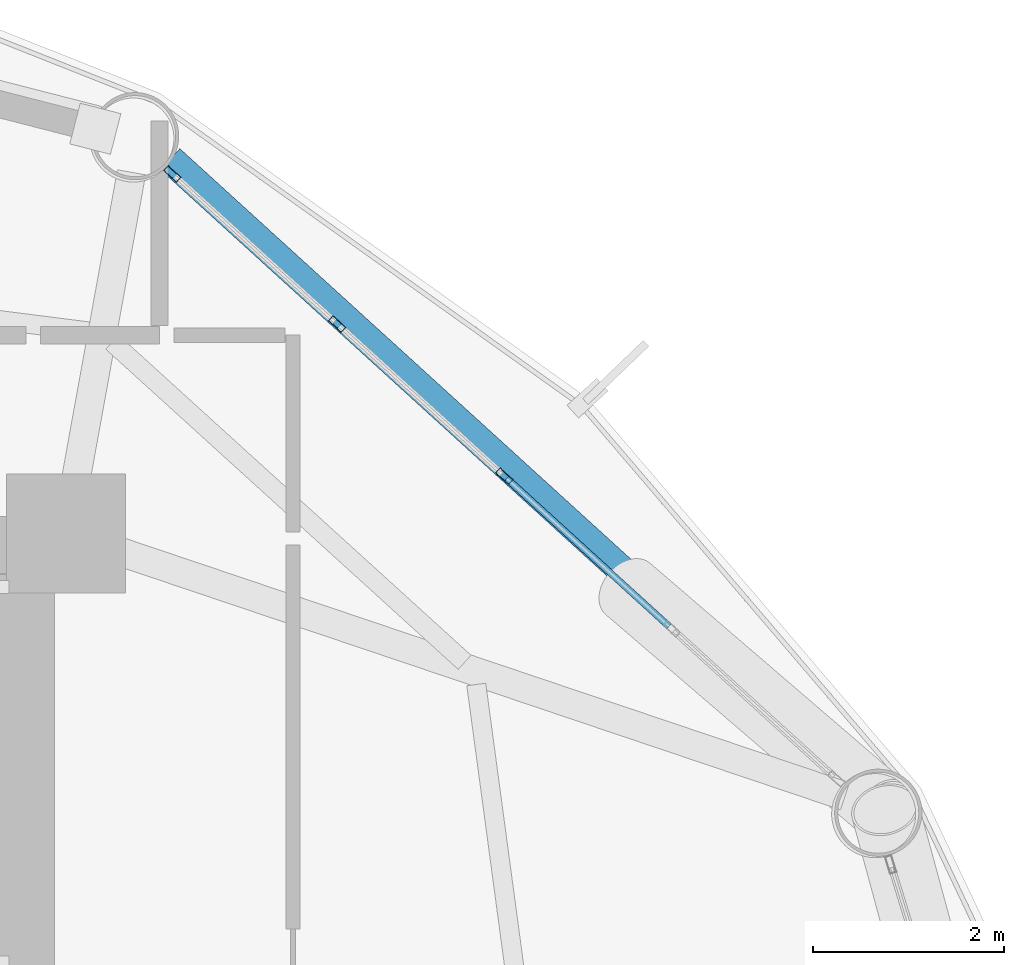
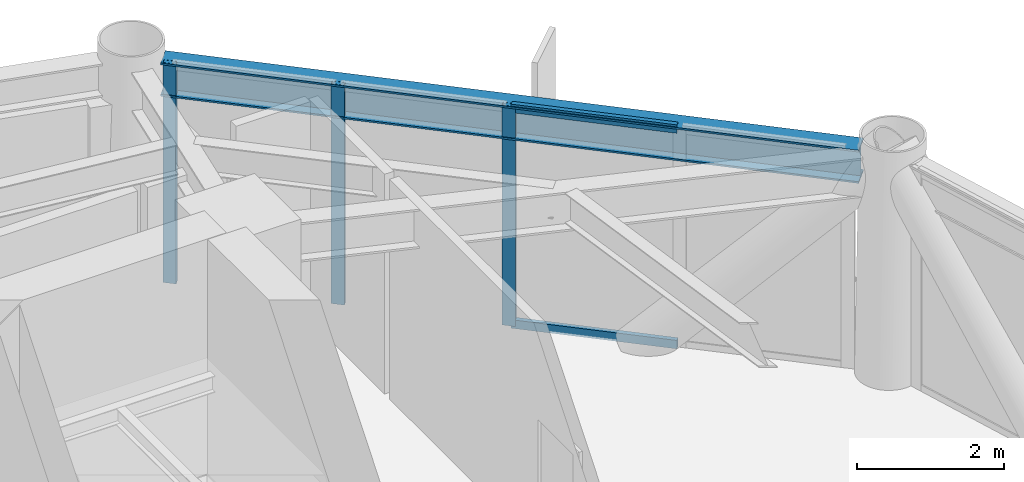
# One storey, part 18 of 25: 5 members, 1 beam, 1 element without a shape of its own.
"""IFC4 building model written with IfcOpenShell, lengths in metres."""

from ifc_helpers import new_model, si_unit, direction, frame, origin, origin_2d, place, context, subcontext, project, spatial, hollow_rectangle, i_section, extrude, material, layer, layer_set, material_profile, profile_set, type_object, element, aggregate, save


model = new_model("IFC4")

# Units and contexts
model_context = context("Model", 3, precision=1e-05, world=origin(), true_north=direction((0.0, 1.0)))
body_context = subcontext(model_context, "Body", "Model", "MODEL_VIEW")
ifc_project = project(units=[si_unit("LENGTHUNIT", "METRE"), si_unit("AREAUNIT", "SQUARE_METRE"), si_unit("VOLUMEUNIT", "CUBIC_METRE"), si_unit("PLANEANGLEUNIT", "RADIAN"), si_unit("MASSUNIT", "GRAM", prefix="KILO")], contexts=[model_context])

# Site, building, storey
site_placement = place(None, origin())
site = spatial("IfcSite", under=ifc_project, at=site_placement, CompositionType="ELEMENT")
building_placement = place(site_placement, origin())
building = spatial("IfcBuilding", under=site, at=building_placement, Name="Varnakorn Sky Granary", CompositionType="ELEMENT")
storey_placement = place(building_placement, frame((0.0, 0.0, 58.800048828125)))
storey = spatial("IfcBuildingStorey", under=building, at=storey_placement, Name="L14", CompositionType="ELEMENT", Elevation=58.800048828125)

# Beam
ifc_material_1 = material(Name="Steel S355JR", Category="steel")
ifc_material_profile_1 = material_profile(ifc_material_1, i_section(OverallWidth=0.300048828125, OverallDepth=0.550048828125, WebThickness=0.014892578125, FlangeThickness=0.029052734375, at=origin_2d()), Name="HE 550 B")
ifc_profile_set_1 = profile_set([ifc_material_profile_1], Name="Steel S355JR")
beam_type = type_object("IfcBeamType", Name="BM-SPD-Z1", PredefinedType="SPANDREL", material=ifc_profile_set_1)
beam_placement = place(storey_placement, frame((16.680908203125, 10.021484375, 3.364990234375), z_axis=(-0.739598046308, 0.673048831733, 0.0), x_axis=(-0.673048831733, -0.739598046308, 0.0)))
element("IfcBeam", 1, at=beam_placement, inside=storey, type_object=beam_type, Name="Perimeter Spandrel Ring Beam RB02 L14", PredefinedType="SPANDREL", context=body_context, shape_type="SweptSolid", body=[
    extrude(i_section(OverallWidth=0.300048828125, OverallDepth=0.550048828125, WebThickness=0.014892578125, FlangeThickness=0.029052734375, at=origin_2d()), origin(), (0.0, 0.0, 1.0), 9.6923828125),
])

# Curtain wall, members
ifc_material_2 = material(Name="Anodised Bronze Aluminium Alloy 6063-T6", Category="aluminium")
ifc_layer = layer(ifc_material_2, 0.18994140625, Name="Anodised Bronze Aluminium Alloy 6063-T6")
ifc_layer_set = layer_set([ifc_layer], Name="Anodised Bronze Aluminium Alloy 6063-T6")
curtain_wall_type = type_object("IfcCurtainWallType", Name="CW-FRM-1", PredefinedType="USERDEFINED", material=ifc_layer_set)
curtain_wall_placement = place(storey_placement, origin())
curtain_wall = element("IfcCurtainWall", 2, at=curtain_wall_placement, inside=storey, type_object=curtain_wall_type, Name="Unitised Curtain Wall CW3 CW-L14-B02", ObjectType="CURTAIN WALL", PredefinedType="USERDEFINED")
ifc_material_profile_2 = material_profile(ifc_material_2, hollow_rectangle(XDim=0.070068359375, YDim=0.18505859375, WallThickness=0.00390625, at=origin_2d()), Name="ALU MULL 70x185")
ifc_profile_set_2 = profile_set([ifc_material_profile_2], Name="Anodised Bronze Aluminium Alloy 6063-T6")
member_type_1 = type_object("IfcMemberType", Name="CW-FRM-1-MULL", PredefinedType="MULLION", material=ifc_profile_set_2)
member_1_placement = place(storey_placement, frame((9.53466796875, 16.39013671875, 0.0), z_axis=(0.0, 0.0, 1.0), x_axis=(0.67331886602, 0.739352219623, 0.0)))
member_1 = element("IfcMember", 3, at=member_1_placement, type_object=member_type_1, Name="CW3 mullion 1", PredefinedType="MULLION", context=body_context, shape_type="SweptSolid", body=[
    extrude(hollow_rectangle(XDim=0.070068359375, YDim=0.18505859375, WallThickness=0.00390625, at=origin_2d()), origin(), (0.0, 0.0, 1.0), 3.639892578125),
])
member_2_placement = place(storey_placement, frame((11.262451171875, 14.816650390625, 0.0), z_axis=(0.0, 0.0, 1.0), x_axis=(0.67331886602, 0.739352219623, 0.0)))
member_2 = element("IfcMember", 4, at=member_2_placement, type_object=member_type_1, Name="CW3 mullion 2", PredefinedType="MULLION", context=body_context, shape_type="SweptSolid", body=[
    extrude(hollow_rectangle(XDim=0.070068359375, YDim=0.18505859375, WallThickness=0.00390625, at=origin_2d()), origin(), (0.0, 0.0, 1.0), 3.639892578125),
])
member_3_placement = place(storey_placement, frame((13.01611328125, 13.2197265625, 0.0), z_axis=(0.0, 0.0, 1.0), x_axis=(0.67331886602, 0.739352219623, 0.0)))
member_3 = element("IfcMember", 5, at=member_3_placement, type_object=member_type_1, Name="CW3 mullion 3", PredefinedType="MULLION", context=body_context, shape_type="SweptSolid", body=[
    extrude(hollow_rectangle(XDim=0.070068359375, YDim=0.18505859375, WallThickness=0.00390625, at=origin_2d()), origin(), (0.0, 0.0, 1.0), 3.639892578125),
])
ifc_material_profile_3 = material_profile(ifc_material_2, hollow_rectangle(XDim=0.070068359375, YDim=0.139892578125, WallThickness=0.00341796875, at=origin_2d()), Name="ALU TRAN 70x140")
ifc_profile_set_3 = profile_set([ifc_material_profile_3], Name="Anodised Bronze Aluminium Alloy 6063-T6")
member_type_2 = type_object("IfcMemberType", Name="CW-FRM-1-TRAN", PredefinedType="USERDEFINED", material=ifc_profile_set_3)
member_4_placement = place(storey_placement, frame((13.0419921875, 13.196044921875, 0.034912109375), z_axis=(0.739373495564, -0.673295502775, 0.0), x_axis=(0.673295502775, 0.739373495564, 0.0)))
member_4 = element("IfcMember", 6, at=member_4_placement, type_object=member_type_2, Name="CW3 transom 3.1", ObjectType="TRANSOM", PredefinedType="USERDEFINED", context=body_context, shape_type="SweptSolid", body=[
    extrude(hollow_rectangle(XDim=0.070068359375, YDim=0.139892578125, WallThickness=0.00341796875, at=origin_2d()), origin(), (0.0, 0.0, 1.0), 2.3017578125),
])
member_5_placement = place(storey_placement, frame((13.0419921875, 13.196044921875, 3.60498046875), z_axis=(0.739373495564, -0.673295502775, 0.0), x_axis=(0.673295502775, 0.739373495564, 0.0)))
member_5 = element("IfcMember", 7, at=member_5_placement, type_object=member_type_2, Name="CW3 transom 3.2", ObjectType="TRANSOM", PredefinedType="USERDEFINED", context=body_context, shape_type="SweptSolid", body=[
    extrude(hollow_rectangle(XDim=0.070068359375, YDim=0.139892578125, WallThickness=0.00341796875, at=origin_2d()), origin(), (0.0, 0.0, 1.0), 2.3017578125),
])
aggregate(curtain_wall, [member_1, member_2, member_3, member_4, member_5])

save(model, "model.ifc")
